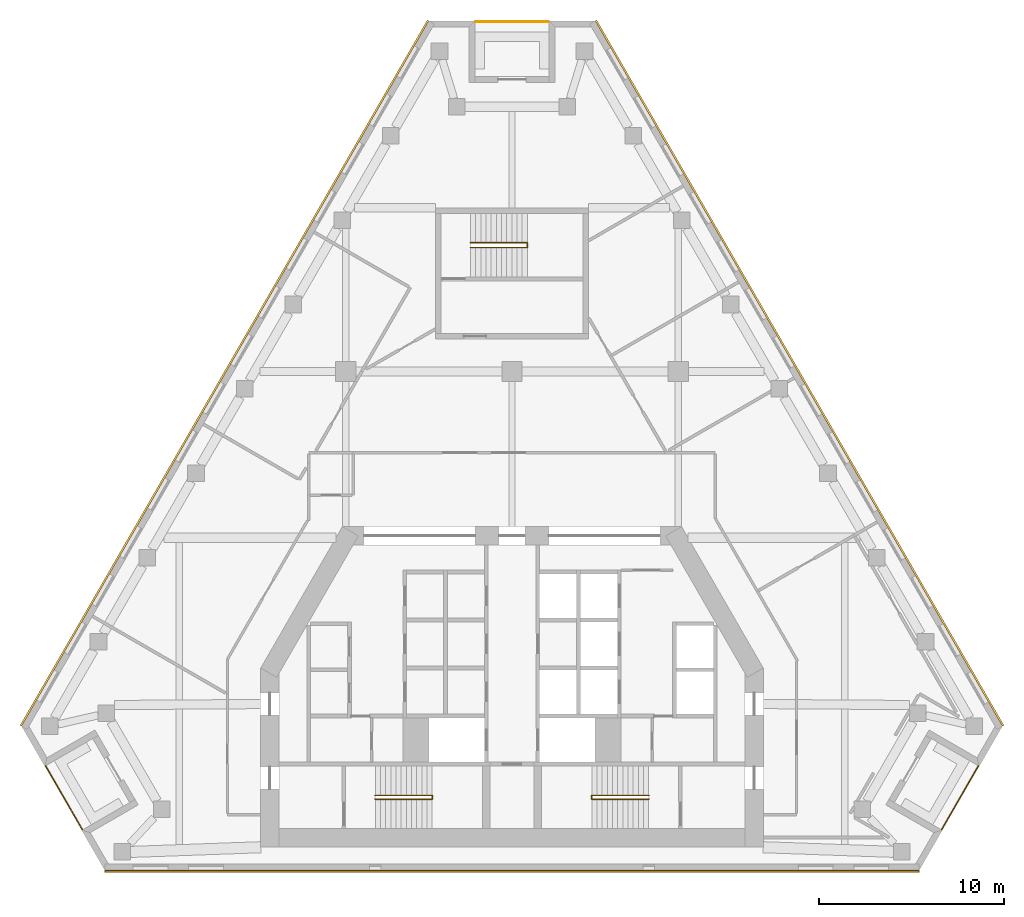
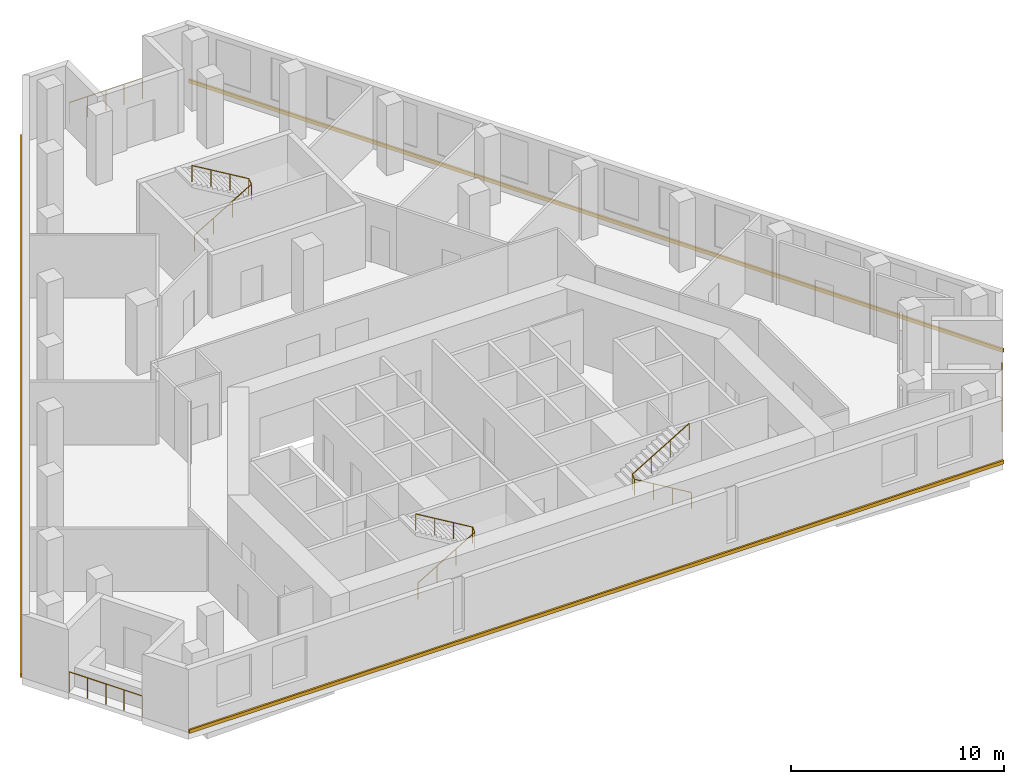
# One storey, part 8 of 8: 6 railings, 3 coverings.
"""IFC4 building model written with IfcOpenShell, lengths in metres."""

from ifc_helpers import new_model, si_unit, direction, frame, origin, origin_2d, place, context, subcontext, project, spatial, polyline, circle, outline, extrude, material, type_object, element, save


model = new_model("IFC4")

# Units and contexts
model_context = context("Model", 3, precision=1e-05, world=origin(), true_north=direction((0.0, 1.0)))
body_context = subcontext(model_context, "Body", "Model", "MODEL_VIEW")
ifc_project = project(units=[si_unit("LENGTHUNIT", "METRE"), si_unit("AREAUNIT", "SQUARE_METRE"), si_unit("VOLUMEUNIT", "CUBIC_METRE"), si_unit("PLANEANGLEUNIT", "RADIAN"), si_unit("MASSUNIT", "GRAM", prefix="KILO")], contexts=[model_context])

# Site, building, storey
site_placement = place(None, origin())
site = spatial("IfcSite", under=ifc_project, at=site_placement, CompositionType="ELEMENT")
building_placement = place(site_placement, origin())
building = spatial("IfcBuilding", under=site, at=building_placement, Name="Fogline Exchange Tower", CompositionType="ELEMENT")
storey_placement = place(building_placement, frame((0.0, 0.0, 235.5)))
storey = spatial("IfcBuildingStorey", under=building, at=storey_placement, Name="L53", CompositionType="ELEMENT", Elevation=235.5)

# Railings
ifc_material_1 = material(Name="Stainless steel 304", Category="steel")
railing_type_1 = type_object("IfcRailingType", Name="G1", PredefinedType="GUARDRAIL", material=ifc_material_1)
railing_1_placement = place(storey_placement, frame((-25.23779296875, 5.635986328125, 0.0)))
element("IfcRailing", 1, at=railing_1_placement, inside=storey, type_object=railing_type_1, Name="Balcony guard L53 SW", PredefinedType="GUARDRAIL", context=body_context, shape_type="SweptSolid", body=[
    extrude(circle(Radius=0.02392578125, at=origin_2d()), frame((0.0, 0.0, 1.17578125), z_axis=(0.500000102728, -0.866025344474, 0.0), x_axis=(0.866025344474, 0.500000102728, 0.0)), (0.0, 0.0, 1.0), 3.9580078125),
    extrude(circle(Radius=0.02099609375, at=origin_2d()), origin(), (0.0, 0.0, 1.0), 1.15185546875),
    extrude(circle(Radius=0.02099609375, at=origin_2d()), frame((0.49462890625, -0.85693359375, 0.0)), (0.0, 0.0, 1.0), 1.15185546875),
    extrude(circle(Radius=0.02099609375, at=origin_2d()), frame((0.989501953125, -1.7138671875, 0.0)), (0.0, 0.0, 1.0), 1.15185546875),
    extrude(circle(Radius=0.02099609375, at=origin_2d()), frame((1.484375, -2.57080078125, 0.0)), (0.0, 0.0, 1.0), 1.15185546875),
    extrude(circle(Radius=0.02099609375, at=origin_2d()), frame((1.97900390625, -3.427734375, 0.0)), (0.0, 0.0, 1.0), 1.15185546875),
])
railing_2_placement = place(storey_placement, frame((23.2587890625, 2.208251953125, 0.0)))
element("IfcRailing", 2, at=railing_2_placement, inside=storey, type_object=railing_type_1, Name="Balcony guard L53 SE", PredefinedType="GUARDRAIL", context=body_context, shape_type="SweptSolid", body=[
    extrude(circle(Radius=0.02392578125, at=origin_2d()), frame((0.0, 0.0, 1.17578125), z_axis=(0.500000102728, 0.866025344474, 0.0), x_axis=(-0.866025344474, 0.500000102728, 0.0)), (0.0, 0.0, 1.0), 3.9580078125),
    extrude(circle(Radius=0.02099609375, at=origin_2d()), origin(), (0.0, 0.0, 1.0), 1.15185546875),
    extrude(circle(Radius=0.02099609375, at=origin_2d()), frame((0.49462890625, 0.85693359375, 0.0)), (0.0, 0.0, 1.0), 1.15185546875),
    extrude(circle(Radius=0.02099609375, at=origin_2d()), frame((0.989501953125, 1.7138671875, 0.0)), (0.0, 0.0, 1.0), 1.15185546875),
    extrude(circle(Radius=0.02099609375, at=origin_2d()), frame((1.484375, 2.57080078125, 0.0)), (0.0, 0.0, 1.0), 1.15185546875),
    extrude(circle(Radius=0.02099609375, at=origin_2d()), frame((1.97900390625, 3.427734375, 0.0)), (0.0, 0.0, 1.0), 1.15185546875),
])
railing_3_placement = place(storey_placement, frame((1.97900390625, 45.921630859375, 0.0)))
element("IfcRailing", 3, at=railing_3_placement, inside=storey, type_object=railing_type_1, Name="Balcony guard L53 N", PredefinedType="GUARDRAIL", context=body_context, shape_type="SweptSolid", body=[
    extrude(circle(Radius=0.02392578125, at=origin_2d()), frame((0.0, 0.0, 1.17578125), z_axis=(-1.0, 0.0, 0.0), x_axis=(0.0, -1.0, 0.0)), (0.0, 0.0, 1.0), 3.9580078125),
    extrude(circle(Radius=0.02099609375, at=origin_2d()), origin(), (0.0, 0.0, 1.0), 1.15185546875),
    extrude(circle(Radius=0.02099609375, at=origin_2d()), frame((-0.989501953125, 0.0, 0.0)), (0.0, 0.0, 1.0), 1.15185546875),
    extrude(circle(Radius=0.02099609375, at=origin_2d()), frame((-1.97900390625, 0.0, 0.0)), (0.0, 0.0, 1.0), 1.15185546875),
    extrude(circle(Radius=0.02099609375, at=origin_2d()), frame((-2.968505859375, 0.0, 0.0)), (0.0, 0.0, 1.0), 1.15185546875),
    extrude(circle(Radius=0.02099609375, at=origin_2d()), frame((-3.9580078125, 0.0, 0.0)), (0.0, 0.0, 1.0), 1.15185546875),
])
ifc_material_2 = material(Name="Steel Q235B", Category="steel")
railing_type_2 = type_object("IfcRailingType", Name="RL-HR", PredefinedType="HANDRAIL", material=ifc_material_2)
railing_4_placement = place(storey_placement, frame((-7.39990234375, 3.85009765625, 0.166748046875)))
element("IfcRailing", 4, at=railing_4_placement, inside=storey, type_object=railing_type_2, Name="Handrail ST1", PredefinedType="HANDRAIL", context=body_context, shape_type="SweptSolid", body=[
    extrude(circle(Radius=0.02392578125, at=origin_2d()), frame((0.0, 0.0, 0.92578125), z_axis=(0.859290745958, 0.0, 0.51148745235), x_axis=(0.0, 1.0, 0.0)), (0.0, 0.0, 1.0), 3.584228515625),
    extrude(circle(Radius=0.02392578125, at=origin_2d()), frame((3.079833984375, 0.0, 2.75927734375), z_axis=(0.0, 0.767990643491, 0.640461061666), x_axis=(-1.0, 0.0, 0.0)), (0.0, 0.0, 1.0), 0.26025390625),
    extrude(circle(Radius=0.02392578125, at=origin_2d()), frame((3.079833984375, 0.199951171875, 2.92578125), z_axis=(-0.859290745958, 0.0, 0.51148745235), x_axis=(0.0, -1.0, 0.0)), (0.0, 0.0, 1.0), 3.584228515625),
    extrude(circle(Radius=0.02099609375, at=origin_2d()), origin(), (0.0, 0.0, 1.0), 0.90185546875),
    extrude(circle(Radius=0.02099609375, at=origin_2d()), frame((1.026611328125, 0.0, 0.611083984375)), (0.0, 0.0, 1.0), 0.90185546875),
    extrude(circle(Radius=0.02099609375, at=origin_2d()), frame((2.05322265625, 0.0, 1.22216796875)), (0.0, 0.0, 1.0), 0.90185546875),
    extrude(circle(Radius=0.02099609375, at=origin_2d()), frame((3.079833984375, 0.0, 1.833251953125)), (0.0, 0.0, 1.0), 0.90185546875),
    extrude(circle(Radius=0.02099609375, at=origin_2d()), frame((3.079833984375, 0.199951171875, 2.0)), (0.0, 0.0, 1.0), 0.90185546875),
    extrude(circle(Radius=0.02099609375, at=origin_2d()), frame((2.05322265625, 0.199951171875, 2.611083984375)), (0.0, 0.0, 1.0), 0.90185546875),
    extrude(circle(Radius=0.02099609375, at=origin_2d()), frame((1.026611328125, 0.199951171875, 3.22216796875)), (0.0, 0.0, 1.0), 0.90185546875),
    extrude(circle(Radius=0.02099609375, at=origin_2d()), frame((0.0, 0.199951171875, 3.833251953125)), (0.0, 0.0, 1.0), 0.90185546875),
])
railing_5_placement = place(storey_placement, frame((7.39990234375, 3.85009765625, 0.166748046875)))
element("IfcRailing", 5, at=railing_5_placement, inside=storey, type_object=railing_type_2, Name="Handrail ST2", PredefinedType="HANDRAIL", context=body_context, shape_type="SweptSolid", body=[
    extrude(circle(Radius=0.02392578125, at=origin_2d()), frame((0.0, 0.0, 0.92578125), z_axis=(-0.859290745958, 0.0, 0.51148745235), x_axis=(0.0, -1.0, 0.0)), (0.0, 0.0, 1.0), 3.584228515625),
    extrude(circle(Radius=0.02392578125, at=origin_2d()), frame((-3.079833984375, 0.0, 2.75927734375), z_axis=(0.0, 0.767990643491, 0.640461061666), x_axis=(-1.0, 0.0, 0.0)), (0.0, 0.0, 1.0), 0.26025390625),
    extrude(circle(Radius=0.02392578125, at=origin_2d()), frame((-3.079833984375, 0.199951171875, 2.92578125), z_axis=(0.859290745958, 0.0, 0.51148745235), x_axis=(0.0, 1.0, 0.0)), (0.0, 0.0, 1.0), 3.584228515625),
    extrude(circle(Radius=0.02099609375, at=origin_2d()), origin(), (0.0, 0.0, 1.0), 0.90185546875),
    extrude(circle(Radius=0.02099609375, at=origin_2d()), frame((-1.026611328125, 0.0, 0.611083984375)), (0.0, 0.0, 1.0), 0.90185546875),
    extrude(circle(Radius=0.02099609375, at=origin_2d()), frame((-2.05322265625, 0.0, 1.22216796875)), (0.0, 0.0, 1.0), 0.90185546875),
    extrude(circle(Radius=0.02099609375, at=origin_2d()), frame((-3.079833984375, 0.0, 1.833251953125)), (0.0, 0.0, 1.0), 0.90185546875),
    extrude(circle(Radius=0.02099609375, at=origin_2d()), frame((-3.079833984375, 0.199951171875, 2.0)), (0.0, 0.0, 1.0), 0.90185546875),
    extrude(circle(Radius=0.02099609375, at=origin_2d()), frame((-2.05322265625, 0.199951171875, 2.611083984375)), (0.0, 0.0, 1.0), 0.90185546875),
    extrude(circle(Radius=0.02099609375, at=origin_2d()), frame((-1.026611328125, 0.199951171875, 3.22216796875)), (0.0, 0.0, 1.0), 0.90185546875),
    extrude(circle(Radius=0.02099609375, at=origin_2d()), frame((0.0, 0.199951171875, 3.833251953125)), (0.0, 0.0, 1.0), 0.90185546875),
])
railing_6_placement = place(storey_placement, frame((-2.25, 33.70703125, 0.166748046875)))
element("IfcRailing", 6, at=railing_6_placement, inside=storey, type_object=railing_type_2, Name="Handrail ST3", PredefinedType="HANDRAIL", context=body_context, shape_type="SweptSolid", body=[
    extrude(circle(Radius=0.02392578125, at=origin_2d()), frame((0.0, 0.0, 0.92578125), z_axis=(0.859308565015, 0.0, 0.511457515432), x_axis=(0.0, 1.0, 0.0)), (0.0, 0.0, 1.0), 3.58447265625),
    extrude(circle(Radius=0.02392578125, at=origin_2d()), frame((3.080078125, 0.0, 2.75927734375), z_axis=(0.0, 0.831925284441, 0.554887665306), x_axis=(-1.0, 0.0, 0.0)), (0.0, 0.0, 1.0), 0.300537109375),
    extrude(circle(Radius=0.02392578125, at=origin_2d()), frame((3.080078125, 0.25, 2.92578125), z_axis=(-0.859308565015, 0.0, 0.511457515432), x_axis=(0.0, -1.0, 0.0)), (0.0, 0.0, 1.0), 3.58447265625),
    extrude(circle(Radius=0.02099609375, at=origin_2d()), origin(), (0.0, 0.0, 1.0), 0.90185546875),
    extrude(circle(Radius=0.02099609375, at=origin_2d()), frame((1.026611328125, 0.0, 0.611083984375)), (0.0, 0.0, 1.0), 0.90185546875),
    extrude(circle(Radius=0.02099609375, at=origin_2d()), frame((2.053466796875, 0.0, 1.22216796875)), (0.0, 0.0, 1.0), 0.90185546875),
    extrude(circle(Radius=0.02099609375, at=origin_2d()), frame((3.080078125, 0.0, 1.833251953125)), (0.0, 0.0, 1.0), 0.90185546875),
    extrude(circle(Radius=0.02099609375, at=origin_2d()), frame((3.080078125, 0.25, 2.0)), (0.0, 0.0, 1.0), 0.90185546875),
    extrude(circle(Radius=0.02099609375, at=origin_2d()), frame((2.053466796875, 0.25, 2.611083984375)), (0.0, 0.0, 1.0), 0.90185546875),
    extrude(circle(Radius=0.02099609375, at=origin_2d()), frame((1.026611328125, 0.25, 3.22216796875)), (0.0, 0.0, 1.0), 0.90185546875),
    extrude(circle(Radius=0.02099609375, at=origin_2d()), frame((0.0, 0.25, 3.833251953125)), (0.0, 0.0, 1.0), 0.90185546875),
])

# Coverings
ifc_material_3 = material(Name="Brick masonry", Category="masonry")
covering_type = type_object("IfcCoveringType", Name="SB1", PredefinedType="CLADDING", material=ifc_material_3)
covering_1_placement = place(storey_placement, origin())
element("IfcCovering", 7, at=covering_1_placement, inside=storey, type_object=covering_type, Name="Stringcourse band L53 S", PredefinedType="CLADDING", context=body_context, shape_type="SweptSolid", body=[
    extrude(outline(polyline([(-22.041748046875, 0.0), (-22.041748046875, -0.10009765625), (22.041748046875, -0.10009765625), (22.041748046875, 0.0), (-22.041748046875, 0.0)])), origin(), (0.0, 0.0, 1.0), 0.199951171875),
])
covering_2_placement = place(storey_placement, origin())
element("IfcCovering", 8, at=covering_2_placement, inside=storey, type_object=covering_type, Name="Stringcourse band L53 E", PredefinedType="CLADDING", context=body_context, shape_type="SweptSolid", body=[
    extrude(outline(polyline([(26.541748046875, 7.794189453125), (26.62841796875, 7.84423828125), (4.586669921875, 46.021728515625), (4.5, 45.9716796875), (26.541748046875, 7.794189453125)])), origin(), (0.0, 0.0, 1.0), 0.199951171875),
])
covering_3_placement = place(storey_placement, origin())
element("IfcCovering", 9, at=covering_3_placement, inside=storey, type_object=covering_type, Name="Stringcourse band L53 W", PredefinedType="CLADDING", context=body_context, shape_type="SweptSolid", body=[
    extrude(outline(polyline([(-4.5, 45.9716796875), (-4.586669921875, 46.021728515625), (-26.62841796875, 7.84423828125), (-26.541748046875, 7.794189453125), (-4.5, 45.9716796875)])), origin(), (0.0, 0.0, 1.0), 0.199951171875),
])

save(model, "model.ifc")
